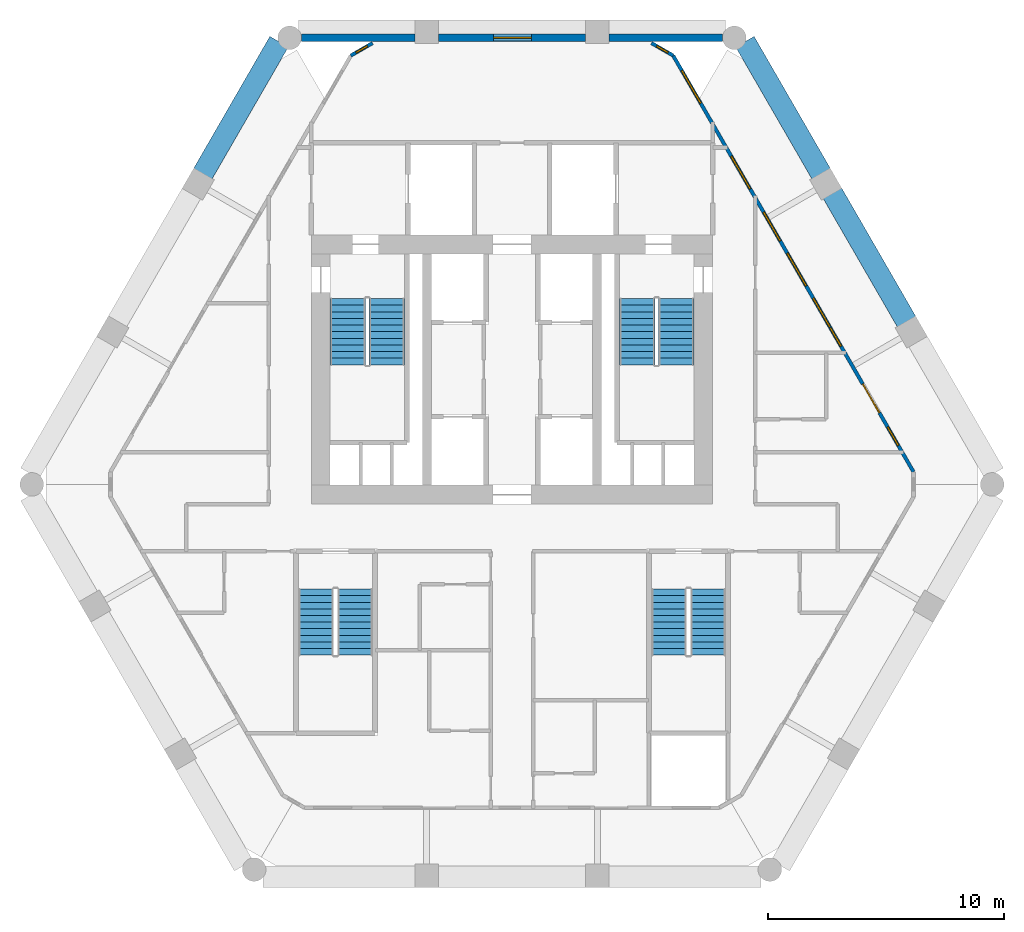
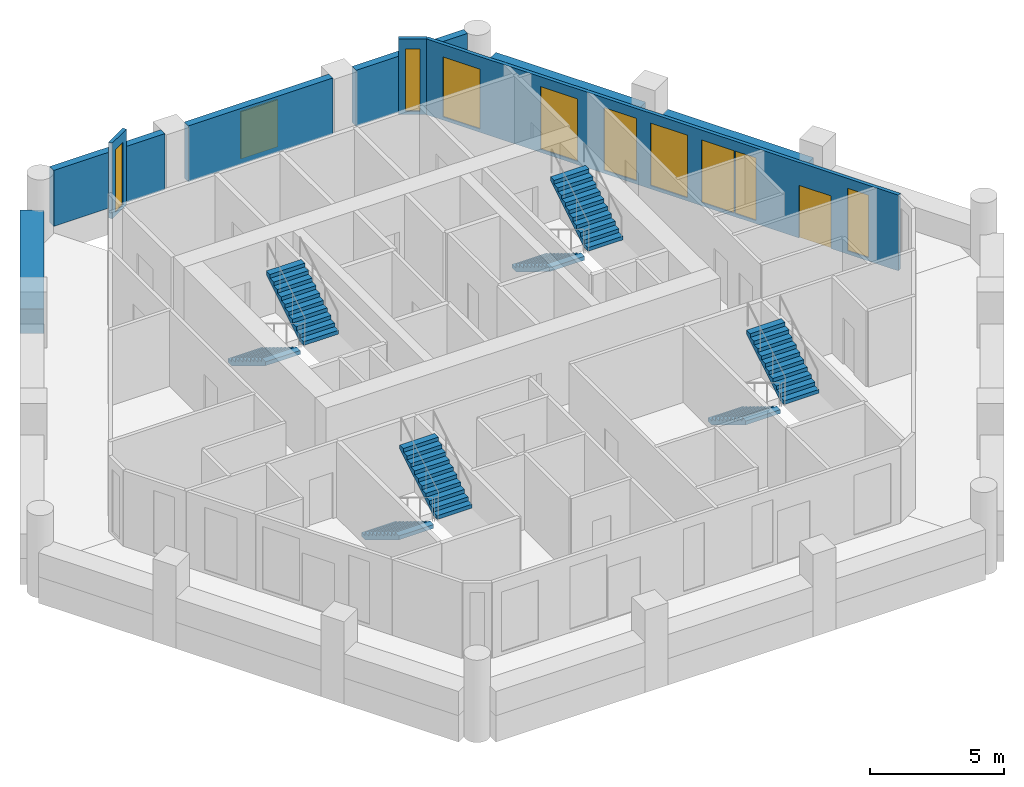
# One storey, part 6 of 7: 10 windows, 9 walls, 8 stair flights, 1 door, 11 openings, 4 elements without a shape of their own.
"""IFC4 building model written with IfcOpenShell, lengths in metres."""

import ifcopenshell
import ifcopenshell.guid

model = None  # the IFC model being written
_history = None  # IfcOwnerHistory: only IFC2X3 demands one
_inside = {}  # id of a spatial element -> (the spatial element, [elements in it])
_under = {}  # id of a project, library or spatial element -> (it, [spatial elements below it])
_declared = {}  # id of a project -> (the project, [libraries it declares])
_typed = {}  # id of a type object -> (the type object, [elements of that type])
_made_of = {}  # id of a material, layer set ... -> (it, [elements and type objects made of it])


def new_model(schema):
    """Start an empty IFC model of exactly this schema.

    Asked for "IFC4X3", IfcOpenShell would pick the latest addendum, in which some entities
    have other attributes; the version numbers below select the first issue.
    IFC2X3 requires an IfcOwnerHistory on every rooted entity: one is made here for all.
    """
    global model, _history
    if schema == "IFC4X3":
        model = ifcopenshell.file(schema_version=(4, 3, 0, 0))
    else:
        model = ifcopenshell.file(schema=schema)
    _inside.clear()
    _under.clear()
    _declared.clear()
    _typed.clear()
    _made_of.clear()
    _history = None
    if model.schema == "IFC2X3":
        org = make("IfcOrganization", Name="unknown")
        user = make(
            "IfcPersonAndOrganization",
            ThePerson=make("IfcPerson", FamilyName="unknown"),
            TheOrganization=org,
        )
        app = make(
            "IfcApplication",
            ApplicationDeveloper=org,
            Version="unknown",
            ApplicationFullName="unknown",
            ApplicationIdentifier="unknown",
        )
        _history = make(
            "IfcOwnerHistory",
            OwningUser=user,
            OwningApplication=app,
            ChangeAction="ADDED",
            CreationDate=0,
        )
    return model


def make(cls, **values):
    """One entity of the class cls with the attributes given. An attribute that is None is left unset."""
    return model.create_entity(
        cls, **{name: value for name, value in values.items() if value is not None}
    )


def rooted(cls, **values):
    """An entity with a GlobalId (a new one), such as an element, a storey or a relation."""
    return make(cls, GlobalId=ifcopenshell.guid.new(), OwnerHistory=_history, **values)


def si_unit(unit_type, name, prefix=None):
    """IfcSIUnit, for example si_unit("LENGTHUNIT", "METRE", prefix="MILLI")."""
    return make("IfcSIUnit", UnitType=unit_type, Prefix=prefix, Name=name)


def assignment(units):
    """IfcUnitAssignment: the units of a project."""
    return None if units is None else make("IfcUnitAssignment", Units=units)


def point(xyz):
    """IfcCartesianPoint."""
    return None if xyz is None else make("IfcCartesianPoint", Coordinates=xyz)


def direction(xyz):
    """IfcDirection."""
    return None if xyz is None else make("IfcDirection", DirectionRatios=xyz)


def frame(location, z_axis=None, x_axis=None):
    """IfcAxis2Placement3D, a coordinate frame: its origin and axes. An axis left out is left unset."""
    return make(
        "IfcAxis2Placement3D",
        Location=point(location),
        Axis=direction(z_axis),
        RefDirection=direction(x_axis),
    )


def frame_2d(location, x_axis=None):
    """IfcAxis2Placement2D, a coordinate frame in the plane: its origin and x axis."""
    return make(
        "IfcAxis2Placement2D", Location=point(location), RefDirection=direction(x_axis)
    )


def origin():
    """The frame at (0, 0, 0) with its axes left unset."""
    return frame((0.0, 0.0, 0.0))


def place(relative_to, where):
    """IfcLocalPlacement: puts the frame where relative to a parent placement (None: the world)."""
    return make(
        "IfcLocalPlacement", PlacementRelTo=relative_to, RelativePlacement=where
    )


def context(
    kind, dimensions, precision=None, world=None, true_north=None, identifier=None
):
    """IfcGeometricRepresentationContext, for example the 3D "Model" context."""
    return make(
        "IfcGeometricRepresentationContext",
        ContextIdentifier=identifier,
        ContextType=kind,
        CoordinateSpaceDimension=dimensions,
        Precision=precision,
        WorldCoordinateSystem=world,
        TrueNorth=true_north,
    )


def subcontext(parent, identifier, kind, view, scale=None):
    """IfcGeometricRepresentationSubContext, for example "Body" below "Model"."""
    return make(
        "IfcGeometricRepresentationSubContext",
        ContextIdentifier=identifier,
        ContextType=kind,
        ParentContext=parent,
        TargetScale=scale,
        TargetView=view,
    )


def project(units=None, contexts=None):
    """IfcProject with its units and contexts."""
    return rooted(
        "IfcProject",
        Name="project",
        RepresentationContexts=contexts,
        UnitsInContext=assignment(units),
    )


def spatial(cls, under=None, at=None, **own):
    """A site, building, storey or space (cls), placed at a placement, below another one or the project."""
    s = rooted(cls, ObjectPlacement=at, **own)
    if under is not None:
        _under.setdefault(under.id(), (under, []))[1].append(s)
    return s


def polyline(points):
    """IfcPolyline through the points."""
    return make("IfcPolyline", Points=[point(p) for p in points])


def profile(cls, at=None, kind="AREA", **sizes):
    """A parametric profile (cls). Its sizes go by their IFC names, for example OverallWidth=200.0."""
    return make(cls, ProfileType=kind, Position=at, **sizes)


def rectangle(**sizes):
    """IfcRectangleProfileDef."""
    return profile("IfcRectangleProfileDef", **sizes)


def outline(outer, holes=None, kind="AREA"):
    """IfcArbitraryClosedProfileDef: a profile drawn as a closed curve; with holes, ...WithVoids."""
    if holes is None:
        return make("IfcArbitraryClosedProfileDef", ProfileType=kind, OuterCurve=outer)
    return make(
        "IfcArbitraryProfileDefWithVoids",
        ProfileType=kind,
        OuterCurve=outer,
        InnerCurves=holes,
    )


def extrude(swept, where, along, depth):
    """IfcExtrudedAreaSolid: the profile swept, set in the frame where, extruded along a direction by depth."""
    return make(
        "IfcExtrudedAreaSolid",
        SweptArea=swept,
        Position=where,
        ExtrudedDirection=direction(along),
        Depth=depth,
    )


def shape(context_of_items, identifier, shape_type, items):
    """IfcShapeRepresentation: the items that make up one representation, for example the "Body"."""
    return make(
        "IfcShapeRepresentation",
        ContextOfItems=context_of_items,
        RepresentationIdentifier=identifier,
        RepresentationType=shape_type,
        Items=items,
    )


def material(Name=None, Category=None):
    """IfcMaterial."""
    return make("IfcMaterial", Name=Name, Category=Category)


def layer(
    of_material, thickness, ventilated=None, Name=None, Category=None, Priority=None
):
    """IfcMaterialLayer: one layer of a wall or slab, of a material (None: an air gap)."""
    return make(
        "IfcMaterialLayer",
        Material=of_material,
        LayerThickness=thickness,
        IsVentilated=ventilated,
        Name=Name,
        Category=Category,
        Priority=Priority,
    )


def layer_set(layers, Name=None):
    """IfcMaterialLayerSet."""
    return make("IfcMaterialLayerSet", MaterialLayers=layers, LayerSetName=Name)


def made_of(thing, what):
    """Note that an element or type object is made of a material, layer set ...; save() writes the relation."""
    if what is not None:
        _made_of.setdefault(what.id(), (what, []))[1].append(thing)
    return thing


def type_object(cls, material=None, **own):
    """A type object (cls), such as IfcWallType, which elements share."""
    return made_of(rooted(cls, **own), material)


def element(
    cls,
    number,
    at=None,
    inside=None,
    cuts=None,
    type_object=None,
    material=None,
    context=None,
    identifier="Body",
    shape_type=None,
    held_by="IfcProductDefinitionShape",
    body=None,
    shapes=None,
    **own,
):
    """One element of the class cls, such as IfcWall. Its Tag is "e" and its number.

    at: its placement. inside: the storey or other place that contains it. cuts: it is an
    opening in that element (IfcRelVoidsElement). A single representation is given by context,
    identifier, shape_type and body (its items); several are given by shapes. held_by: the class
    of the entity that holds the representations. save() writes the other relations.
    """
    e = rooted(cls, Tag="e%d" % number, ObjectPlacement=at, **own)
    if body is not None:
        shapes = [shape(context, identifier, shape_type, body)]
    if shapes is not None:
        e.Representation = make(held_by, Representations=shapes)
    if inside is not None:
        _inside.setdefault(inside.id(), (inside, []))[1].append(e)
    if cuts is not None:
        rooted(
            "IfcRelVoidsElement", RelatingBuildingElement=cuts, RelatedOpeningElement=e
        )
    if type_object is not None:
        _typed.setdefault(type_object.id(), (type_object, []))[1].append(e)
    return made_of(e, material)


def fill(opening, filler):
    """IfcRelFillsElement: the door or window that sits in an opening."""
    return rooted(
        "IfcRelFillsElement",
        RelatingOpeningElement=opening,
        RelatedBuildingElement=filler,
    )


def aggregate(whole, parts):
    """IfcRelAggregates: a whole, such as a stair, and the parts it consists of."""
    return rooted("IfcRelAggregates", RelatingObject=whole, RelatedObjects=parts)


def save(model, path):
    """Write the relations noted so far, then the file.

    IfcRelAggregates (storeys below a building ...), IfcRelContainedInSpatialStructure (elements
    in a storey), IfcRelDefinesByType, IfcRelAssociatesMaterial and IfcRelDeclares: one each for
    every whole, place, type object, material and project.
    """
    for whole, parts in _under.values():
        aggregate(whole, parts)
    for where, things in _inside.values():
        rooted(
            "IfcRelContainedInSpatialStructure",
            RelatedElements=things,
            RelatingStructure=where,
        )
    for kind, things in _typed.values():
        rooted("IfcRelDefinesByType", RelatedObjects=things, RelatingType=kind)
    for what, things in _made_of.values():
        rooted("IfcRelAssociatesMaterial", RelatedObjects=things, RelatingMaterial=what)
    for by, libraries in _declared.values():
        rooted("IfcRelDeclares", RelatingContext=by, RelatedDefinitions=libraries)
    model.write(path)


model = new_model("IFC4")

# Units and contexts
model_context = context("Model", 3, precision=1e-05, world=origin(), true_north=direction((0.0, 1.0)))
body_context = subcontext(model_context, "Body", "Model", "MODEL_VIEW")
ifc_project = project(units=[si_unit("LENGTHUNIT", "METRE"), si_unit("AREAUNIT", "SQUARE_METRE"), si_unit("VOLUMEUNIT", "CUBIC_METRE"), si_unit("PLANEANGLEUNIT", "RADIAN"), si_unit("MASSUNIT", "GRAM", prefix="KILO")], contexts=[model_context])

# Site, building, storey
site_placement = place(None, origin())
site = spatial("IfcSite", under=ifc_project, at=site_placement, CompositionType="ELEMENT")
building_placement = place(site_placement, origin())
building = spatial("IfcBuilding", under=site, at=building_placement, Name="Ostrander Bayou Hotel Tower", CompositionType="ELEMENT")
storey_placement = place(building_placement, frame((0.0, 0.0, 190.75)))
storey = spatial("IfcBuildingStorey", under=building, at=storey_placement, Name="L47", CompositionType="ELEMENT", Elevation=190.75)

# Wall, openings, door, windows
ifc_material_1 = material(Name="Aluminium framed insulated wall", Category="aluminium")
ifc_layer_1 = layer(ifc_material_1, 0.14990234375)
ifc_layer_set_1 = layer_set([ifc_layer_1], Name="GW1 glass-line wall 150 mm")
wall_type_1 = type_object("IfcWallType", Name="GW1 glass-line wall 150 mm", PredefinedType="SOLIDWALL", material=ifc_layer_set_1)
wall_1_placement = place(storey_placement, frame((17.003173828125, -0.334716796875, 0.0), z_axis=(0.0, 0.0, 1.0), x_axis=(-0.50000659594, 0.866021595583, 0.0)))
wall_1 = element("IfcWall", 1, at=wall_1_placement, inside=storey, type_object=wall_type_1, Name="GW1 L47 NE 1", PredefinedType="SOLIDWALL", context=body_context, shape_type="SweptSolid", body=[
    extrude(rectangle(XDim=20.354248046875, YDim=0.14990234375, at=frame_2d((10.17724609375, 0.0))), origin(), (0.0, 0.0, 1.0), 3.449951171875),
])
opening_1_placement = place(wall_1_placement, frame((1.2880859375, 0.0, 0.14990234375)))
opening_1 = element("IfcOpeningElement", 2, at=opening_1_placement, cuts=wall_1, Name="Opening W17", PredefinedType="OPENING", context=body_context, shape_type="SweptSolid", body=[
    extrude(rectangle(XDim=0.89990234375, YDim=2.85009765625, at=frame_2d((0.449951171875, 1.425048828125))), frame((0.0, 0.074951171875, 0.0), z_axis=(0.0, -1.0, 0.0), x_axis=(1.0, 0.0, 0.0)), (0.0, 0.0, 1.0), 0.14990234375),
])
opening_2_placement = place(wall_1_placement, frame((2.8916015625, 0.0, 0.0)))
opening_2 = element("IfcOpeningElement", 3, at=opening_2_placement, cuts=wall_1, Name="Opening T47-807", PredefinedType="OPENING", context=body_context, shape_type="SweptSolid", body=[
    extrude(rectangle(XDim=1.39990234375, YDim=2.39990234375, at=frame_2d((0.699951171875, 1.199951171875))), frame((0.0, 0.074951171875, 0.0), z_axis=(0.0, -1.0, 0.0), x_axis=(1.0, 0.0, 0.0)), (0.0, 0.0, 1.0), 0.14990234375),
])
opening_3_placement = place(wall_1_placement, frame((6.1376953125, 0.0, 0.14990234375)))
opening_3 = element("IfcOpeningElement", 4, at=opening_3_placement, cuts=wall_1, Name="Opening W17", PredefinedType="OPENING", context=body_context, shape_type="SweptSolid", body=[
    extrude(rectangle(XDim=0.89990234375, YDim=2.85009765625, at=frame_2d((0.449951171875, 1.425048828125))), frame((0.0, 0.074951171875, 0.0), z_axis=(0.0, -1.0, 0.0), x_axis=(1.0, 0.0, 0.0)), (0.0, 0.0, 1.0), 0.14990234375),
])
opening_4_placement = place(wall_1_placement, frame((7.091552734375, 0.0, 0.14990234375)))
opening_4 = element("IfcOpeningElement", 5, at=opening_4_placement, cuts=wall_1, Name="Opening W13", PredefinedType="OPENING", context=body_context, shape_type="SweptSolid", body=[
    extrude(rectangle(XDim=1.39990234375, YDim=2.85009765625, at=frame_2d((0.699951171875, 1.425048828125))), frame((0.0, 0.074951171875, 0.0), z_axis=(0.0, -1.0, 0.0), x_axis=(1.0, 0.0, 0.0)), (0.0, 0.0, 1.0), 0.14990234375),
])
opening_5_placement = place(wall_1_placement, frame((9.091552734375, 0.0, 0.14990234375)))
opening_5 = element("IfcOpeningElement", 6, at=opening_5_placement, cuts=wall_1, Name="Opening W3", PredefinedType="OPENING", context=body_context, shape_type="SweptSolid", body=[
    extrude(rectangle(XDim=1.60009765625, YDim=2.85009765625, at=frame_2d((0.800048828125, 1.425048828125))), frame((0.0, 0.074951171875, 0.0), z_axis=(0.0, -1.0, 0.0), x_axis=(1.0, 0.0, 0.0)), (0.0, 0.0, 1.0), 0.14990234375),
])
opening_6_placement = place(wall_1_placement, frame((11.29150390625, 0.0, 0.14990234375)))
opening_6 = element("IfcOpeningElement", 7, at=opening_6_placement, cuts=wall_1, Name="Opening W13", PredefinedType="OPENING", context=body_context, shape_type="SweptSolid", body=[
    extrude(rectangle(XDim=1.39990234375, YDim=2.85009765625, at=frame_2d((0.699951171875, 1.425048828125))), frame((0.0, 0.074951171875, 0.0), z_axis=(0.0, -1.0, 0.0), x_axis=(1.0, 0.0, 0.0)), (0.0, 0.0, 1.0), 0.14990234375),
])
opening_7_placement = place(wall_1_placement, frame((13.833984375, 0.0, 0.14990234375)))
opening_7 = element("IfcOpeningElement", 8, at=opening_7_placement, cuts=wall_1, Name="Opening W3", PredefinedType="OPENING", context=body_context, shape_type="SweptSolid", body=[
    extrude(rectangle(XDim=1.60009765625, YDim=2.85009765625, at=frame_2d((0.800048828125, 1.425048828125))), frame((0.0, 0.074951171875, 0.0), z_axis=(0.0, -1.0, 0.0), x_axis=(1.0, 0.0, 0.0)), (0.0, 0.0, 1.0), 0.14990234375),
])
opening_8_placement = place(wall_1_placement, frame((18.02294921875, 0.0, 0.14990234375)))
opening_8 = element("IfcOpeningElement", 9, at=opening_8_placement, cuts=wall_1, Name="Opening W3", PredefinedType="OPENING", context=body_context, shape_type="SweptSolid", body=[
    extrude(rectangle(XDim=1.60009765625, YDim=2.72998046875, at=frame_2d((0.800048828125, 1.364990234375))), frame((0.0, 0.074951171875, 0.0), z_axis=(0.0, -1.0, 0.0), x_axis=(1.0, 0.0, 0.0)), (0.0, 0.0, 1.0), 0.14990234375),
])
ifc_material_2 = material(Name="Aluminium and clear glass", Category="aluminium")
door_type = type_object("IfcDoorType", Name="SD3 sliding glass door 1400 mm, zone 3", OperationType="SLIDING_TO_LEFT", PredefinedType="DOOR", material=ifc_material_2)
door_placement = place(opening_2_placement, origin())
door = element("IfcDoor", 10, at=door_placement, inside=storey, type_object=door_type, Name="SD3 L47 NE 1", OperationType="SLIDING_TO_LEFT", OverallHeight=2.39990234375, OverallWidth=1.39990234375, PredefinedType="DOOR", context=body_context, shape_type="SweptSolid", body=[
    extrude(rectangle(XDim=1.39990234375, YDim=2.39990234375, at=frame_2d((0.699951171875, 1.199951171875))), frame((0.0, 0.02490234375, 0.0), z_axis=(0.0, -1.0, 0.0), x_axis=(1.0, 0.0, 0.0)), (0.0, 0.0, 1.0), 0.050048828125),
])
fill(opening_2, door)
ifc_material_3 = material(Name="Aluminium and clear glass", Category="aluminium")
window_type_1 = type_object("IfcWindowType", Name="W13 fixed window 1400 mm, bath bay, zone 3", PartitioningType="SINGLE_PANEL", PredefinedType="WINDOW", material=ifc_material_3)
window_1_placement = place(opening_4_placement, origin())
window_1 = element("IfcWindow", 11, at=window_1_placement, inside=storey, type_object=window_type_1, Name="W13 L47 NE 2", OverallHeight=2.85009765625, OverallWidth=1.39990234375, PartitioningType="SINGLE_PANEL", PredefinedType="WINDOW", context=body_context, shape_type="SweptSolid", body=[
    extrude(rectangle(XDim=1.39990234375, YDim=2.85009765625, at=frame_2d((0.699951171875, 1.425048828125))), frame((0.0, 0.030029296875, 0.0), z_axis=(0.0, -1.0, 0.0), x_axis=(1.0, 0.0, 0.0)), (0.0, 0.0, 1.0), 0.06005859375),
])
fill(opening_4, window_1)
window_2_placement = place(opening_6_placement, origin())
window_2 = element("IfcWindow", 12, at=window_2_placement, inside=storey, type_object=window_type_1, Name="W13 L47 NE 3", OverallHeight=2.85009765625, OverallWidth=1.39990234375, PartitioningType="SINGLE_PANEL", PredefinedType="WINDOW", context=body_context, shape_type="SweptSolid", body=[
    extrude(rectangle(XDim=1.39990234375, YDim=2.85009765625, at=frame_2d((0.699951171875, 1.425048828125))), frame((0.0, 0.030029296875, 0.0), z_axis=(0.0, -1.0, 0.0), x_axis=(1.0, 0.0, 0.0)), (0.0, 0.0, 1.0), 0.06005859375),
])
fill(opening_6, window_2)
ifc_material_4 = material(Name="Aluminium and clear glass", Category="aluminium")
window_type_2 = type_object("IfcWindowType", Name="W17 window 900 mm, zone 3", PartitioningType="SINGLE_PANEL", PredefinedType="WINDOW", material=ifc_material_4)
window_3_placement = place(opening_1_placement, origin())
window_3 = element("IfcWindow", 13, at=window_3_placement, inside=storey, type_object=window_type_2, Name="W17 L47 NE 1", OverallHeight=2.85009765625, OverallWidth=0.89990234375, PartitioningType="SINGLE_PANEL", PredefinedType="WINDOW", context=body_context, shape_type="SweptSolid", body=[
    extrude(rectangle(XDim=0.89990234375, YDim=2.85009765625, at=frame_2d((0.449951171875, 1.425048828125))), frame((0.0, 0.030029296875, 0.0), z_axis=(0.0, -1.0, 0.0), x_axis=(1.0, 0.0, 0.0)), (0.0, 0.0, 1.0), 0.06005859375),
])
fill(opening_1, window_3)
window_4_placement = place(opening_3_placement, origin())
window_4 = element("IfcWindow", 14, at=window_4_placement, inside=storey, type_object=window_type_2, Name="W17 L47 NE 2", OverallHeight=2.85009765625, OverallWidth=0.89990234375, PartitioningType="SINGLE_PANEL", PredefinedType="WINDOW", context=body_context, shape_type="SweptSolid", body=[
    extrude(rectangle(XDim=0.89990234375, YDim=2.85009765625, at=frame_2d((0.449951171875, 1.425048828125))), frame((0.0, 0.030029296875, 0.0), z_axis=(0.0, -1.0, 0.0), x_axis=(1.0, 0.0, 0.0)), (0.0, 0.0, 1.0), 0.06005859375),
])
fill(opening_3, window_4)
ifc_material_5 = material(Name="Aluminium and clear glass", Category="aluminium")
window_type_3 = type_object("IfcWindowType", Name="W3 fixed window 1600 mm, zone 3", PartitioningType="SINGLE_PANEL", PredefinedType="WINDOW", material=ifc_material_5)
window_5_placement = place(opening_5_placement, origin())
window_5 = element("IfcWindow", 15, at=window_5_placement, inside=storey, type_object=window_type_3, Name="W3 L47 NE 3", OverallHeight=2.85009765625, OverallWidth=1.60009765625, PartitioningType="SINGLE_PANEL", PredefinedType="WINDOW", context=body_context, shape_type="SweptSolid", body=[
    extrude(rectangle(XDim=1.60009765625, YDim=2.85009765625, at=frame_2d((0.800048828125, 1.425048828125))), frame((0.0, 0.030029296875, 0.0), z_axis=(0.0, -1.0, 0.0), x_axis=(1.0, 0.0, 0.0)), (0.0, 0.0, 1.0), 0.06005859375),
])
fill(opening_5, window_5)
window_6_placement = place(opening_7_placement, origin())
window_6 = element("IfcWindow", 16, at=window_6_placement, inside=storey, type_object=window_type_3, Name="W3 L47 NE 4", OverallHeight=2.85009765625, OverallWidth=1.60009765625, PartitioningType="SINGLE_PANEL", PredefinedType="WINDOW", context=body_context, shape_type="SweptSolid", body=[
    extrude(rectangle(XDim=1.60009765625, YDim=2.85009765625, at=frame_2d((0.800048828125, 1.425048828125))), frame((0.0, 0.030029296875, 0.0), z_axis=(0.0, -1.0, 0.0), x_axis=(1.0, 0.0, 0.0)), (0.0, 0.0, 1.0), 0.06005859375),
])
fill(opening_7, window_6)
window_7_placement = place(opening_8_placement, origin())
window_7 = element("IfcWindow", 17, at=window_7_placement, inside=storey, type_object=window_type_3, Name="W3 L47 NE E21", OverallHeight=2.72998046875, OverallWidth=1.60009765625, PartitioningType="SINGLE_PANEL", PredefinedType="WINDOW", context=body_context, shape_type="SweptSolid", body=[
    extrude(rectangle(XDim=1.60009765625, YDim=2.72998046875, at=frame_2d((0.800048828125, 1.364990234375))), frame((0.0, 0.030029296875, 0.0), z_axis=(0.0, -1.0, 0.0), x_axis=(1.0, 0.0, 0.0)), (0.0, 0.0, 1.0), 0.06005859375),
])
fill(opening_8, window_7)

# Wall, opening, window
wall_2_placement = place(storey_placement, frame((-5.903564453125, 17.824951171875, 0.0), z_axis=(0.0, 0.0, 1.0), x_axis=(-0.866048165231, -0.499960573946, 0.0)))
wall_2 = element("IfcWall", 18, at=wall_2_placement, inside=storey, type_object=wall_type_1, Name="GW1 L47 corner 1", PredefinedType="SOLIDWALL", context=body_context, shape_type="SweptSolid", body=[
    extrude(rectangle(XDim=1.06494140625, YDim=0.14990234375, at=frame_2d((0.532470703125, 0.0))), origin(), (0.0, 0.0, 1.0), 3.449951171875),
])
opening_9_placement = place(wall_2_placement, frame((0.257568359375, 0.0, 0.14990234375)))
opening_9 = element("IfcOpeningElement", 19, at=opening_9_placement, cuts=wall_2, Name="Opening W19", PredefinedType="OPENING", context=body_context, shape_type="SweptSolid", body=[
    extrude(rectangle(XDim=0.550048828125, YDim=2.85009765625, at=frame_2d((0.27490234375, 1.425048828125))), frame((0.0, 0.074951171875, 0.0), z_axis=(0.0, -1.0, 0.0), x_axis=(1.0, 0.0, 0.0)), (0.0, 0.0, 1.0), 0.14990234375),
])
ifc_material_6 = material(Name="Aluminium and clear glass", Category="aluminium")
window_type_4 = type_object("IfcWindowType", Name="W19 corner window 550 mm", PartitioningType="SINGLE_PANEL", PredefinedType="WINDOW", material=ifc_material_6)
window_8_placement = place(opening_9_placement, origin())
window_8 = element("IfcWindow", 20, at=window_8_placement, inside=storey, type_object=window_type_4, Name="W19 L47 corner 1", OverallHeight=2.85009765625, OverallWidth=0.550048828125, PartitioningType="SINGLE_PANEL", PredefinedType="WINDOW", context=body_context, shape_type="SweptSolid", body=[
    extrude(rectangle(XDim=0.550048828125, YDim=2.85009765625, at=frame_2d((0.27490234375, 1.425048828125))), frame((0.0, 0.030029296875, 0.0), z_axis=(0.0, -1.0, 0.0), x_axis=(1.0, 0.0, 0.0)), (0.0, 0.0, 1.0), 0.06005859375),
])
fill(opening_9, window_8)

wall_3_placement = place(storey_placement, frame((6.825927734375, 17.29248046875, 0.0), z_axis=(0.0, 0.0, 1.0), x_axis=(-0.866048165231, 0.499960573946, 0.0)))
wall_3 = element("IfcWall", 21, at=wall_3_placement, inside=storey, type_object=wall_type_1, Name="GW1 L47 corner 6", PredefinedType="SOLIDWALL", context=body_context, shape_type="SweptSolid", body=[
    extrude(rectangle(XDim=1.06494140625, YDim=0.14990234375, at=frame_2d((0.532470703125, 0.0))), origin(), (0.0, 0.0, 1.0), 3.449951171875),
])
opening_10_placement = place(wall_3_placement, frame((0.257568359375, 0.0, 0.14990234375)))
opening_10 = element("IfcOpeningElement", 22, at=opening_10_placement, cuts=wall_3, Name="Opening W19", PredefinedType="OPENING", context=body_context, shape_type="SweptSolid", body=[
    extrude(rectangle(XDim=0.550048828125, YDim=2.85009765625, at=frame_2d((0.27490234375, 1.425048828125))), frame((0.0, 0.074951171875, 0.0), z_axis=(0.0, -1.0, 0.0), x_axis=(1.0, 0.0, 0.0)), (0.0, 0.0, 1.0), 0.14990234375),
])
window_9_placement = place(opening_10_placement, origin())
window_9 = element("IfcWindow", 23, at=window_9_placement, inside=storey, type_object=window_type_4, Name="W19 L47 corner 6", OverallHeight=2.85009765625, OverallWidth=0.550048828125, PartitioningType="SINGLE_PANEL", PredefinedType="WINDOW", context=body_context, shape_type="SweptSolid", body=[
    extrude(rectangle(XDim=0.550048828125, YDim=2.85009765625, at=frame_2d((0.27490234375, 1.425048828125))), frame((0.0, 0.030029296875, 0.0), z_axis=(0.0, -1.0, 0.0), x_axis=(1.0, 0.0, 0.0)), (0.0, 0.0, 1.0), 0.06005859375),
])
fill(opening_10, window_9)

# Wall
ifc_material_7 = material(Name="Reconstituted stone on masonry backing", Category="masonry")
ifc_layer_2 = layer(ifc_material_7, 0.300048828125)
ifc_layer_set_2 = layer_set([ifc_layer_2], Name="NW1 north stone wall 300 mm")
wall_type_2 = type_object("IfcWallType", Name="NW1 north stone wall 300 mm", PredefinedType="SOLIDWALL", material=ifc_layer_set_2)
wall_4_placement = place(storey_placement, frame((8.91748046875, 18.050048828125, 0.0), z_axis=(0.0, 0.0, 1.0), x_axis=(-1.0, 0.0, 0.0)))
element("IfcWall", 24, at=wall_4_placement, inside=storey, type_object=wall_type_2, Name="NW1 L47 N-1", PredefinedType="SOLIDWALL", context=body_context, shape_type="SweptSolid", body=[
    extrude(rectangle(XDim=4.79931640625, YDim=0.300048828125, at=frame_2d((2.399658203125, 0.0))), origin(), (0.0, 0.0, 1.0), 2.550048828125),
])

# Wall, opening, window
wall_5_placement = place(storey_placement, frame((3.1181640625, 18.050048828125, 0.0), z_axis=(0.0, 0.0, 1.0), x_axis=(-1.0, 0.0, 0.0)))
wall_5 = element("IfcWall", 25, at=wall_5_placement, inside=storey, type_object=wall_type_2, Name="NW1 L47 N-2", PredefinedType="SOLIDWALL", context=body_context, shape_type="SweptSolid", body=[
    extrude(rectangle(XDim=6.236328125, YDim=0.300048828125, at=frame_2d((3.1181640625, 0.0))), origin(), (0.0, 0.0, 1.0), 2.550048828125),
])
opening_11_placement = place(wall_5_placement, frame((2.300048828125, 0.0, 0.14990234375)))
opening_11 = element("IfcOpeningElement", 26, at=opening_11_placement, cuts=wall_5, Name="Opening W3", PredefinedType="OPENING", context=body_context, shape_type="SweptSolid", body=[
    extrude(rectangle(XDim=1.60009765625, YDim=2.14990234375, at=frame_2d((0.800048828125, 1.074951171875))), frame((0.0, 0.14990234375, 0.0), z_axis=(0.0, -1.0, 0.0), x_axis=(1.0, 0.0, 0.0)), (0.0, 0.0, 1.0), 0.300048828125),
])
window_10_placement = place(opening_11_placement, origin())
window_10 = element("IfcWindow", 27, at=window_10_placement, inside=storey, type_object=window_type_3, Name="W3 L47 north N-2", OverallHeight=2.14990234375, OverallWidth=1.60009765625, PartitioningType="SINGLE_PANEL", PredefinedType="WINDOW", context=body_context, shape_type="SweptSolid", body=[
    extrude(rectangle(XDim=1.60009765625, YDim=2.14990234375, at=frame_2d((0.800048828125, 1.074951171875))), frame((0.0, 0.030029296875, 0.0), z_axis=(0.0, -1.0, 0.0), x_axis=(1.0, 0.0, 0.0)), (0.0, 0.0, 1.0), 0.06005859375),
])
fill(opening_11, window_10)

# Walls
wall_6_placement = place(storey_placement, frame((-4.1181640625, 18.050048828125, 0.0), z_axis=(0.0, 0.0, 1.0), x_axis=(-1.0, 0.0, 0.0)))
element("IfcWall", 28, at=wall_6_placement, inside=storey, type_object=wall_type_2, Name="NW1 L47 N-3", PredefinedType="SOLIDWALL", context=body_context, shape_type="SweptSolid", body=[
    extrude(rectangle(XDim=4.79931640625, YDim=0.300048828125, at=frame_2d((2.399658203125, 0.0))), origin(), (0.0, 0.0, 1.0), 2.550048828125),
])
ifc_material_8 = material(Name="Concrete f'c 40 MPa", Category="concrete")
ifc_layer_3 = layer(ifc_material_8, 0.89990234375)
ifc_layer_set_3 = layer_set([ifc_layer_3], Name="PA1 stone-faced parapet 900 mm")
wall_type_3 = type_object("IfcWallType", Name="PA1 stone-faced parapet 900 mm", PredefinedType="PARAPET", material=ifc_layer_set_3)
wall_7_placement = place(storey_placement, frame((-9.864013671875, 17.88037109375, 0.0), z_axis=(0.0, 0.0, 1.0), x_axis=(-0.500005767435, -0.866022073929, 0.0)))
element("IfcWall", 29, at=wall_7_placement, inside=storey, type_object=wall_type_3, Name="PA1 L47 NW-1", PredefinedType="PARAPET", context=body_context, shape_type="SweptSolid", body=[
    extrude(rectangle(XDim=6.46484375, YDim=0.89990234375, at=frame_2d((3.232421875, 0.0))), origin(), (0.0, 0.0, 1.0), 1.10009765625),
])
wall_8_placement = place(storey_placement, frame((16.714599609375, 6.014892578125, 0.0), z_axis=(0.0, 0.0, 1.0), x_axis=(-0.500013351051, 0.866017695414, 0.0)))
element("IfcWall", 30, at=wall_8_placement, inside=storey, type_object=wall_type_3, Name="PA1 L47 NE-2", PredefinedType="PARAPET", context=body_context, shape_type="SweptSolid", body=[
    extrude(rectangle(XDim=6.296142578125, YDim=0.89990234375, at=frame_2d((3.14794921875, 0.0))), origin(), (0.0, 0.0, 1.0), 1.10009765625),
])
wall_9_placement = place(storey_placement, frame((13.096435546875, 12.28173828125, 0.0), z_axis=(0.0, 0.0, 1.0), x_axis=(-0.500005767435, 0.866022073929, 0.0)))
element("IfcWall", 31, at=wall_9_placement, inside=storey, type_object=wall_type_3, Name="PA1 L47 NE-3", PredefinedType="PARAPET", context=body_context, shape_type="SweptSolid", body=[
    extrude(rectangle(XDim=6.46484375, YDim=0.89990234375, at=frame_2d((3.232421875, 0.0))), origin(), (0.0, 0.0, 1.0), 1.10009765625),
])

# Stair, stair flights
ifc_material_9 = material(Name="Concrete f'c 45 MPa", Category="concrete")
stair_type = type_object("IfcStairType", Name="ST1 exit stair 1500 mm f'c 45 MPa", PredefinedType="HALF_TURN_STAIR", material=ifc_material_9)
stair_1_placement = place(storey_placement, origin())
stair_1 = element("IfcStair", 32, at=stair_1_placement, inside=storey, type_object=stair_type, Name="L47 exit stair A", PredefinedType="HALF_TURN_STAIR")
ifc_material_10 = material(Name="Concrete f'c 45 MPa", Category="concrete")
stair_flight_type = type_object("IfcStairFlightType", Name="SF1 stair flight 1500 mm f'c 45 MPa", PredefinedType="STRAIGHT", material=ifc_material_10)
stair_flight_1_placement = place(storey_placement, frame((-6.949951171875, 7.0, 0.0), z_axis=(0.0, 0.0, 1.0), x_axis=(0.0, -1.0, 0.0)))
stair_flight_1 = element("IfcStairFlight", 33, at=stair_flight_1_placement, type_object=stair_flight_type, Name="STA flight 1", NumberOfRisers=11, NumberOfTreads=10, PredefinedType="STRAIGHT", RiserHeight=0.170454545, TreadLength=0.28, context=body_context, shape_type="SweptSolid", body=[
    extrude(outline(polyline([(0.0, 0.0), (0.0, 0.17041015625), (0.280029296875, 0.17041015625), (0.280029296875, 0.3408203125), (0.56005859375, 0.3408203125), (0.56005859375, 0.511474609375), (0.840087890625, 0.511474609375), (0.840087890625, 0.681884765625), (1.1201171875, 0.681884765625), (1.1201171875, 0.852294921875), (1.39990234375, 0.852294921875), (1.39990234375, 1.022705078125), (1.679931640625, 1.022705078125), (1.679931640625, 1.193115234375), (1.9599609375, 1.193115234375), (1.9599609375, 1.363525390625), (2.239990234375, 1.363525390625), (2.239990234375, 1.5341796875), (2.52001953125, 1.5341796875), (2.52001953125, 1.70458984375), (2.800048828125, 1.70458984375), (2.800048828125, 1.875), (2.800048828125, 1.529052734375), (0.288330078125, 0.0), (0.0, 0.0)])), frame((0.0, 0.75, 0.0), z_axis=(0.0, -1.0, 0.0), x_axis=(1.0, 0.0, 0.0)), (0.0, 0.0, 1.0), 1.5),
])
stair_flight_2_placement = place(storey_placement, frame((-5.300048828125, 4.199951171875, 1.875), z_axis=(0.0, 0.0, 1.0), x_axis=(0.0, 1.0, 0.0)))
stair_flight_2 = element("IfcStairFlight", 34, at=stair_flight_2_placement, type_object=stair_flight_type, Name="STA flight 2", NumberOfRisers=11, NumberOfTreads=10, PredefinedType="STRAIGHT", RiserHeight=0.170454545, TreadLength=0.28, context=body_context, shape_type="SweptSolid", body=[
    extrude(outline(polyline([(0.0, 0.0), (0.0, 0.17041015625), (0.280029296875, 0.17041015625), (0.280029296875, 0.3408203125), (0.56005859375, 0.3408203125), (0.56005859375, 0.511474609375), (0.840087890625, 0.511474609375), (0.840087890625, 0.681884765625), (1.1201171875, 0.681884765625), (1.1201171875, 0.852294921875), (1.39990234375, 0.852294921875), (1.39990234375, 1.022705078125), (1.679931640625, 1.022705078125), (1.679931640625, 1.193115234375), (1.9599609375, 1.193115234375), (1.9599609375, 1.363525390625), (2.239990234375, 1.363525390625), (2.239990234375, 1.5341796875), (2.52001953125, 1.5341796875), (2.52001953125, 1.70458984375), (2.800048828125, 1.70458984375), (2.800048828125, 1.875), (2.800048828125, 1.529052734375), (0.288330078125, 0.0), (0.0, 0.0)])), frame((0.0, 0.75, 0.0), z_axis=(0.0, -1.0, 0.0), x_axis=(1.0, 0.0, 0.0)), (0.0, 0.0, 1.0), 1.5),
])
aggregate(stair_1, [stair_flight_1, stair_flight_2])

stair_2_placement = place(storey_placement, origin())
stair_2 = element("IfcStair", 35, at=stair_2_placement, inside=storey, type_object=stair_type, Name="L47 exit stair B", PredefinedType="HALF_TURN_STAIR")
stair_flight_3_placement = place(storey_placement, frame((5.300048828125, 7.0, 0.0), z_axis=(0.0, 0.0, 1.0), x_axis=(0.0, -1.0, 0.0)))
stair_flight_3 = element("IfcStairFlight", 36, at=stair_flight_3_placement, type_object=stair_flight_type, Name="STB flight 1", NumberOfRisers=11, NumberOfTreads=10, PredefinedType="STRAIGHT", RiserHeight=0.170454545, TreadLength=0.28, context=body_context, shape_type="SweptSolid", body=[
    extrude(outline(polyline([(0.0, 0.0), (0.0, 0.17041015625), (0.280029296875, 0.17041015625), (0.280029296875, 0.3408203125), (0.56005859375, 0.3408203125), (0.56005859375, 0.511474609375), (0.840087890625, 0.511474609375), (0.840087890625, 0.681884765625), (1.1201171875, 0.681884765625), (1.1201171875, 0.852294921875), (1.39990234375, 0.852294921875), (1.39990234375, 1.022705078125), (1.679931640625, 1.022705078125), (1.679931640625, 1.193115234375), (1.9599609375, 1.193115234375), (1.9599609375, 1.363525390625), (2.239990234375, 1.363525390625), (2.239990234375, 1.5341796875), (2.52001953125, 1.5341796875), (2.52001953125, 1.70458984375), (2.800048828125, 1.70458984375), (2.800048828125, 1.875), (2.800048828125, 1.529052734375), (0.288330078125, 0.0), (0.0, 0.0)])), frame((0.0, 0.75, 0.0), z_axis=(0.0, -1.0, 0.0), x_axis=(1.0, 0.0, 0.0)), (0.0, 0.0, 1.0), 1.5),
])
stair_flight_4_placement = place(storey_placement, frame((6.949951171875, 4.199951171875, 1.875), z_axis=(0.0, 0.0, 1.0), x_axis=(0.0, 1.0, 0.0)))
stair_flight_4 = element("IfcStairFlight", 37, at=stair_flight_4_placement, type_object=stair_flight_type, Name="STB flight 2", NumberOfRisers=11, NumberOfTreads=10, PredefinedType="STRAIGHT", RiserHeight=0.170454545, TreadLength=0.28, context=body_context, shape_type="SweptSolid", body=[
    extrude(outline(polyline([(0.0, 0.0), (0.0, 0.17041015625), (0.280029296875, 0.17041015625), (0.280029296875, 0.3408203125), (0.56005859375, 0.3408203125), (0.56005859375, 0.511474609375), (0.840087890625, 0.511474609375), (0.840087890625, 0.681884765625), (1.1201171875, 0.681884765625), (1.1201171875, 0.852294921875), (1.39990234375, 0.852294921875), (1.39990234375, 1.022705078125), (1.679931640625, 1.022705078125), (1.679931640625, 1.193115234375), (1.9599609375, 1.193115234375), (1.9599609375, 1.363525390625), (2.239990234375, 1.363525390625), (2.239990234375, 1.5341796875), (2.52001953125, 1.5341796875), (2.52001953125, 1.70458984375), (2.800048828125, 1.70458984375), (2.800048828125, 1.875), (2.800048828125, 1.529052734375), (0.288330078125, 0.0), (0.0, 0.0)])), frame((0.0, 0.75, 0.0), z_axis=(0.0, -1.0, 0.0), x_axis=(1.0, 0.0, 0.0)), (0.0, 0.0, 1.0), 1.5),
])
aggregate(stair_2, [stair_flight_3, stair_flight_4])

stair_3_placement = place(storey_placement, origin())
stair_3 = element("IfcStair", 38, at=stair_3_placement, inside=storey, type_object=stair_type, Name="L47 exit stair C", PredefinedType="HALF_TURN_STAIR")
stair_flight_5_placement = place(storey_placement, frame((6.64990234375, -5.300048828125, 0.0), z_axis=(0.0, 0.0, 1.0), x_axis=(0.0, -1.0, 0.0)))
stair_flight_5 = element("IfcStairFlight", 39, at=stair_flight_5_placement, type_object=stair_flight_type, Name="STC flight 1", NumberOfRisers=11, NumberOfTreads=10, PredefinedType="STRAIGHT", RiserHeight=0.170454545, TreadLength=0.28, context=body_context, shape_type="SweptSolid", body=[
    extrude(outline(polyline([(0.0, 0.0), (0.0, 0.17041015625), (0.280029296875, 0.17041015625), (0.280029296875, 0.3408203125), (0.56005859375, 0.3408203125), (0.56005859375, 0.511474609375), (0.840087890625, 0.511474609375), (0.840087890625, 0.681884765625), (1.1201171875, 0.681884765625), (1.1201171875, 0.852294921875), (1.39990234375, 0.852294921875), (1.39990234375, 1.022705078125), (1.679931640625, 1.022705078125), (1.679931640625, 1.193115234375), (1.9599609375, 1.193115234375), (1.9599609375, 1.363525390625), (2.239990234375, 1.363525390625), (2.239990234375, 1.5341796875), (2.52001953125, 1.5341796875), (2.52001953125, 1.70458984375), (2.800048828125, 1.70458984375), (2.800048828125, 1.875), (2.800048828125, 1.529052734375), (0.288330078125, 0.0), (0.0, 0.0)])), frame((0.0, 0.75, 0.0), z_axis=(0.0, -1.0, 0.0), x_axis=(1.0, 0.0, 0.0)), (0.0, 0.0, 1.0), 1.5),
])
stair_flight_6_placement = place(storey_placement, frame((8.300048828125, -8.10009765625, 1.875), z_axis=(0.0, 0.0, 1.0), x_axis=(0.0, 1.0, 0.0)))
stair_flight_6 = element("IfcStairFlight", 40, at=stair_flight_6_placement, type_object=stair_flight_type, Name="STC flight 2", NumberOfRisers=11, NumberOfTreads=10, PredefinedType="STRAIGHT", RiserHeight=0.170454545, TreadLength=0.28, context=body_context, shape_type="SweptSolid", body=[
    extrude(outline(polyline([(0.0, 0.0), (0.0, 0.17041015625), (0.280029296875, 0.17041015625), (0.280029296875, 0.3408203125), (0.56005859375, 0.3408203125), (0.56005859375, 0.511474609375), (0.840087890625, 0.511474609375), (0.840087890625, 0.681884765625), (1.1201171875, 0.681884765625), (1.1201171875, 0.852294921875), (1.39990234375, 0.852294921875), (1.39990234375, 1.022705078125), (1.679931640625, 1.022705078125), (1.679931640625, 1.193115234375), (1.9599609375, 1.193115234375), (1.9599609375, 1.363525390625), (2.239990234375, 1.363525390625), (2.239990234375, 1.5341796875), (2.52001953125, 1.5341796875), (2.52001953125, 1.70458984375), (2.800048828125, 1.70458984375), (2.800048828125, 1.875), (2.800048828125, 1.529052734375), (0.288330078125, 0.0), (0.0, 0.0)])), frame((0.0, 0.75, 0.0), z_axis=(0.0, -1.0, 0.0), x_axis=(1.0, 0.0, 0.0)), (0.0, 0.0, 1.0), 1.5),
])
aggregate(stair_3, [stair_flight_5, stair_flight_6])

stair_4_placement = place(storey_placement, origin())
stair_4 = element("IfcStair", 41, at=stair_4_placement, inside=storey, type_object=stair_type, Name="L47 exit stair D", PredefinedType="HALF_TURN_STAIR")
stair_flight_7_placement = place(storey_placement, frame((-8.300048828125, -5.300048828125, 0.0), z_axis=(0.0, 0.0, 1.0), x_axis=(0.0, -1.0, 0.0)))
stair_flight_7 = element("IfcStairFlight", 42, at=stair_flight_7_placement, type_object=stair_flight_type, Name="STD flight 1", NumberOfRisers=11, NumberOfTreads=10, PredefinedType="STRAIGHT", RiserHeight=0.170454545, TreadLength=0.28, context=body_context, shape_type="SweptSolid", body=[
    extrude(outline(polyline([(0.0, 0.0), (0.0, 0.17041015625), (0.280029296875, 0.17041015625), (0.280029296875, 0.3408203125), (0.56005859375, 0.3408203125), (0.56005859375, 0.511474609375), (0.840087890625, 0.511474609375), (0.840087890625, 0.681884765625), (1.1201171875, 0.681884765625), (1.1201171875, 0.852294921875), (1.39990234375, 0.852294921875), (1.39990234375, 1.022705078125), (1.679931640625, 1.022705078125), (1.679931640625, 1.193115234375), (1.9599609375, 1.193115234375), (1.9599609375, 1.363525390625), (2.239990234375, 1.363525390625), (2.239990234375, 1.5341796875), (2.52001953125, 1.5341796875), (2.52001953125, 1.70458984375), (2.800048828125, 1.70458984375), (2.800048828125, 1.875), (2.800048828125, 1.529052734375), (0.288330078125, 0.0), (0.0, 0.0)])), frame((0.0, 0.75, 0.0), z_axis=(0.0, -1.0, 0.0), x_axis=(1.0, 0.0, 0.0)), (0.0, 0.0, 1.0), 1.5),
])
stair_flight_8_placement = place(storey_placement, frame((-6.64990234375, -8.10009765625, 1.875), z_axis=(0.0, 0.0, 1.0), x_axis=(0.0, 1.0, 0.0)))
stair_flight_8 = element("IfcStairFlight", 43, at=stair_flight_8_placement, type_object=stair_flight_type, Name="STD flight 2", NumberOfRisers=11, NumberOfTreads=10, PredefinedType="STRAIGHT", RiserHeight=0.170454545, TreadLength=0.28, context=body_context, shape_type="SweptSolid", body=[
    extrude(outline(polyline([(0.0, 0.0), (0.0, 0.17041015625), (0.280029296875, 0.17041015625), (0.280029296875, 0.3408203125), (0.56005859375, 0.3408203125), (0.56005859375, 0.511474609375), (0.840087890625, 0.511474609375), (0.840087890625, 0.681884765625), (1.1201171875, 0.681884765625), (1.1201171875, 0.852294921875), (1.39990234375, 0.852294921875), (1.39990234375, 1.022705078125), (1.679931640625, 1.022705078125), (1.679931640625, 1.193115234375), (1.9599609375, 1.193115234375), (1.9599609375, 1.363525390625), (2.239990234375, 1.363525390625), (2.239990234375, 1.5341796875), (2.52001953125, 1.5341796875), (2.52001953125, 1.70458984375), (2.800048828125, 1.70458984375), (2.800048828125, 1.875), (2.800048828125, 1.529052734375), (0.288330078125, 0.0), (0.0, 0.0)])), frame((0.0, 0.75, 0.0), z_axis=(0.0, -1.0, 0.0), x_axis=(1.0, 0.0, 0.0)), (0.0, 0.0, 1.0), 1.5),
])
aggregate(stair_4, [stair_flight_7, stair_flight_8])

save(model, "model.ifc")
